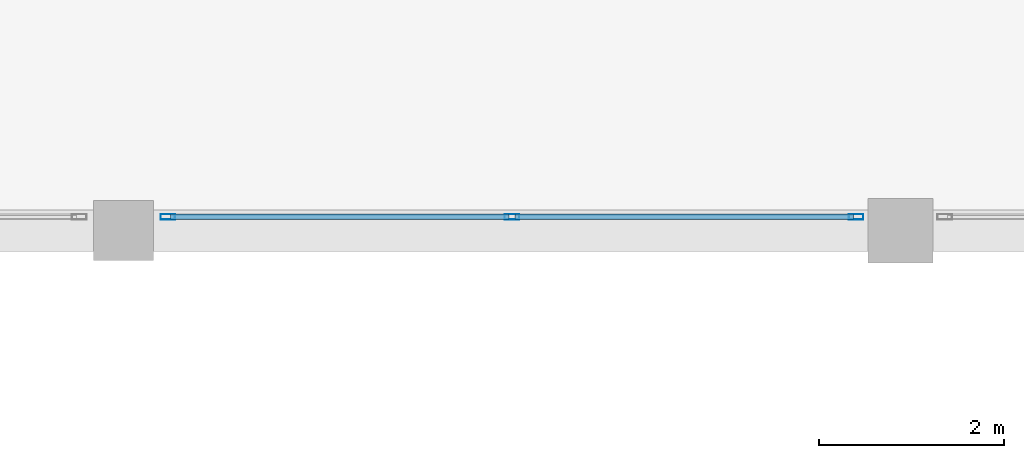
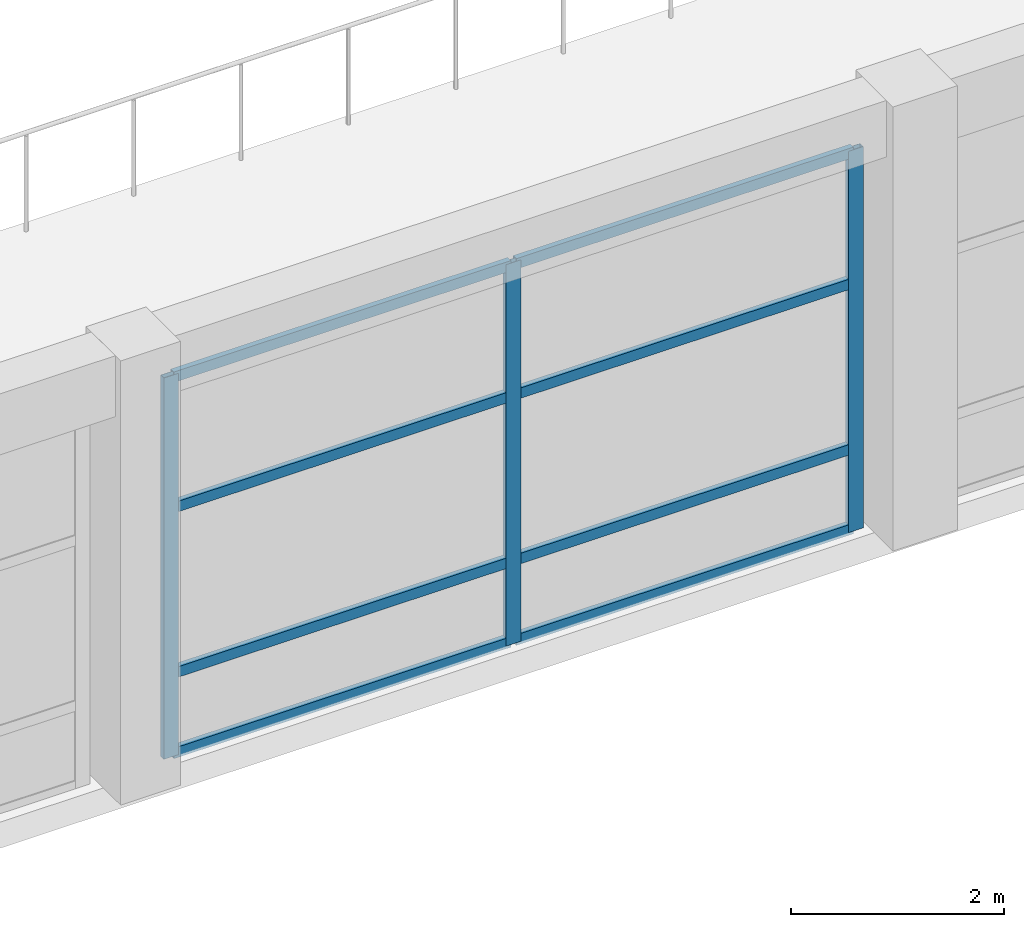
# One storey, part 25 of 95: 11 members, 1 element without a shape of its own.
"""IFC4 building model written with IfcOpenShell, lengths in metres."""

from ifc_helpers import new_model, si_unit, direction, frame, origin, origin_2d, place, context, subcontext, project, spatial, hollow_rectangle, extrude, material, material_profile, profile_set, type_object, element, aggregate, save


model = new_model("IFC4")

# Units and contexts
model_context = context("Model", 3, precision=1e-05, world=origin(), true_north=direction((0.0, 1.0)))
body_context = subcontext(model_context, "Body", "Model", "MODEL_VIEW")
ifc_project = project(units=[si_unit("LENGTHUNIT", "METRE"), si_unit("AREAUNIT", "SQUARE_METRE"), si_unit("VOLUMEUNIT", "CUBIC_METRE"), si_unit("PLANEANGLEUNIT", "RADIAN"), si_unit("MASSUNIT", "GRAM", prefix="KILO")], contexts=[model_context])

# Site, building, storey
site_placement = place(None, origin())
site = spatial("IfcSite", under=ifc_project, at=site_placement, CompositionType="ELEMENT")
building_placement = place(site_placement, origin())
building = spatial("IfcBuilding", under=site, at=building_placement, Name="Almacenes y Pasaje Nevantli", CompositionType="ELEMENT")
storey_placement = place(building_placement, frame((0.0, 0.0, 11.39990234375)))
storey = spatial("IfcBuildingStorey", under=building, at=storey_placement, Name="L03", CompositionType="ELEMENT", Elevation=11.39990234375)

# Curtain wall, members
ifc_material_1 = material(Name="Thermally Broken Aluminium and Low-E Glass", Category="aluminium")
curtain_wall_type = type_object("IfcCurtainWallType", Name="CW-STF-ARCADE", PredefinedType="USERDEFINED", material=ifc_material_1)
curtain_wall_placement = place(storey_placement, origin())
curtain_wall = element("IfcCurtainWall", 1, at=curtain_wall_placement, inside=storey, type_object=curtain_wall_type, Name="L03 South Arcade Portal Curtain Wall Bay 10", ObjectType="STOREFRONT GLAZING", PredefinedType="USERDEFINED")
ifc_material_2 = material(Name="Thermally Broken Anodized Aluminium", Category="aluminium")
ifc_material_profile_1 = material_profile(ifc_material_2, hollow_rectangle(XDim=0.06005859375, YDim=0.159912109375, WallThickness=0.00390625, at=origin_2d()), Name="ALU-MUL-60x160")
ifc_profile_set_1 = profile_set([ifc_material_profile_1], Name="Thermally Broken Anodized Aluminium")
member_type_1 = type_object("IfcMemberType", Name="CW-MUL-180", PredefinedType="MULLION", material=ifc_profile_set_1)
member_1_placement = place(storey_placement, frame((76.080078125, 0.14990234375, 0.0), z_axis=(0.0, 0.0, 1.0), x_axis=(0.0, 1.0, 0.0)))
member_1 = element("IfcMember", 2, at=member_1_placement, type_object=member_type_1, Name="CW-L03-046 mullion 1", PredefinedType="MULLION", context=body_context, shape_type="SweptSolid", body=[
    extrude(hollow_rectangle(XDim=0.06005859375, YDim=0.159912109375, WallThickness=0.00390625, at=origin_2d()), origin(), (0.0, 0.0, 1.0), 4.380126953125),
])
member_2_placement = place(storey_placement, frame((79.800048828125, 0.14990234375, 0.0), z_axis=(0.0, 0.0, 1.0), x_axis=(0.0, 1.0, 0.0)))
member_2 = element("IfcMember", 3, at=member_2_placement, type_object=member_type_1, Name="CW-L03-046 mullion 2", PredefinedType="MULLION", context=body_context, shape_type="SweptSolid", body=[
    extrude(hollow_rectangle(XDim=0.06005859375, YDim=0.159912109375, WallThickness=0.00390625, at=origin_2d()), origin(), (0.0, 0.0, 1.0), 4.380126953125),
])
member_3_placement = place(storey_placement, frame((83.52001953125, 0.14990234375, 0.0), z_axis=(0.0, 0.0, 1.0), x_axis=(0.0, 1.0, 0.0)))
member_3 = element("IfcMember", 4, at=member_3_placement, type_object=member_type_1, Name="CW-L03-046 mullion 3", PredefinedType="MULLION", context=body_context, shape_type="SweptSolid", body=[
    extrude(hollow_rectangle(XDim=0.06005859375, YDim=0.159912109375, WallThickness=0.00390625, at=origin_2d()), origin(), (0.0, 0.0, 1.0), 4.380126953125),
])
ifc_material_3 = material(Name="Thermally Broken Anodized Aluminium", Category="aluminium")
ifc_material_profile_2 = material_profile(ifc_material_3, hollow_rectangle(XDim=0.06005859375, YDim=0.1201171875, WallThickness=0.00341796875, at=origin_2d()), Name="ALU-TRN-60x120")
ifc_profile_set_2 = profile_set([ifc_material_profile_2], Name="Thermally Broken Anodized Aluminium")
member_type_2 = type_object("IfcMemberType", Name="CW-TRN-130", PredefinedType="USERDEFINED", material=ifc_profile_set_2)
member_4_placement = place(storey_placement, frame((76.110107421875, 0.14990234375, 0.030029296875), z_axis=(1.0, 0.0, 0.0), x_axis=(0.0, 1.0, 0.0)))
member_4 = element("IfcMember", 5, at=member_4_placement, type_object=member_type_2, Name="CW-L03-046 transom 1.1", ObjectType="TRANSOM", PredefinedType="USERDEFINED", context=body_context, shape_type="SweptSolid", body=[
    extrude(hollow_rectangle(XDim=0.06005859375, YDim=0.1201171875, WallThickness=0.00341796875, at=origin_2d()), origin(), (0.0, 0.0, 1.0), 3.659912109375),
])
member_5_placement = place(storey_placement, frame((76.110107421875, 0.14990234375, 0.9501953125), z_axis=(1.0, 0.0, 0.0), x_axis=(0.0, 1.0, 0.0)))
member_5 = element("IfcMember", 6, at=member_5_placement, type_object=member_type_2, Name="CW-L03-046 transom 1.2", ObjectType="TRANSOM", PredefinedType="USERDEFINED", context=body_context, shape_type="SweptSolid", body=[
    extrude(hollow_rectangle(XDim=0.06005859375, YDim=0.1201171875, WallThickness=0.00341796875, at=origin_2d()), origin(), (0.0, 0.0, 1.0), 3.659912109375),
])
member_6_placement = place(storey_placement, frame((76.110107421875, 0.14990234375, 2.85009765625), z_axis=(1.0, 0.0, 0.0), x_axis=(0.0, 1.0, 0.0)))
member_6 = element("IfcMember", 7, at=member_6_placement, type_object=member_type_2, Name="CW-L03-046 transom 1.3", ObjectType="TRANSOM", PredefinedType="USERDEFINED", context=body_context, shape_type="SweptSolid", body=[
    extrude(hollow_rectangle(XDim=0.06005859375, YDim=0.1201171875, WallThickness=0.00341796875, at=origin_2d()), origin(), (0.0, 0.0, 1.0), 3.659912109375),
])
member_7_placement = place(storey_placement, frame((76.110107421875, 0.14990234375, 4.35009765625), z_axis=(1.0, 0.0, 0.0), x_axis=(0.0, 1.0, 0.0)))
member_7 = element("IfcMember", 8, at=member_7_placement, type_object=member_type_2, Name="CW-L03-046 transom 1.4", ObjectType="TRANSOM", PredefinedType="USERDEFINED", context=body_context, shape_type="SweptSolid", body=[
    extrude(hollow_rectangle(XDim=0.06005859375, YDim=0.1201171875, WallThickness=0.00341796875, at=origin_2d()), origin(), (0.0, 0.0, 1.0), 3.659912109375),
])
member_8_placement = place(storey_placement, frame((79.830078125, 0.14990234375, 0.030029296875), z_axis=(1.0, 0.0, 0.0), x_axis=(0.0, 1.0, 0.0)))
member_8 = element("IfcMember", 9, at=member_8_placement, type_object=member_type_2, Name="CW-L03-046 transom 2.1", ObjectType="TRANSOM", PredefinedType="USERDEFINED", context=body_context, shape_type="SweptSolid", body=[
    extrude(hollow_rectangle(XDim=0.06005859375, YDim=0.1201171875, WallThickness=0.00341796875, at=origin_2d()), origin(), (0.0, 0.0, 1.0), 3.659912109375),
])
member_9_placement = place(storey_placement, frame((79.830078125, 0.14990234375, 0.9501953125), z_axis=(1.0, 0.0, 0.0), x_axis=(0.0, 1.0, 0.0)))
member_9 = element("IfcMember", 10, at=member_9_placement, type_object=member_type_2, Name="CW-L03-046 transom 2.2", ObjectType="TRANSOM", PredefinedType="USERDEFINED", context=body_context, shape_type="SweptSolid", body=[
    extrude(hollow_rectangle(XDim=0.06005859375, YDim=0.1201171875, WallThickness=0.00341796875, at=origin_2d()), origin(), (0.0, 0.0, 1.0), 3.659912109375),
])
member_10_placement = place(storey_placement, frame((79.830078125, 0.14990234375, 2.85009765625), z_axis=(1.0, 0.0, 0.0), x_axis=(0.0, 1.0, 0.0)))
member_10 = element("IfcMember", 11, at=member_10_placement, type_object=member_type_2, Name="CW-L03-046 transom 2.3", ObjectType="TRANSOM", PredefinedType="USERDEFINED", context=body_context, shape_type="SweptSolid", body=[
    extrude(hollow_rectangle(XDim=0.06005859375, YDim=0.1201171875, WallThickness=0.00341796875, at=origin_2d()), origin(), (0.0, 0.0, 1.0), 3.659912109375),
])
member_11_placement = place(storey_placement, frame((79.830078125, 0.14990234375, 4.35009765625), z_axis=(1.0, 0.0, 0.0), x_axis=(0.0, 1.0, 0.0)))
member_11 = element("IfcMember", 12, at=member_11_placement, type_object=member_type_2, Name="CW-L03-046 transom 2.4", ObjectType="TRANSOM", PredefinedType="USERDEFINED", context=body_context, shape_type="SweptSolid", body=[
    extrude(hollow_rectangle(XDim=0.06005859375, YDim=0.1201171875, WallThickness=0.00341796875, at=origin_2d()), origin(), (0.0, 0.0, 1.0), 3.659912109375),
])
aggregate(curtain_wall, [member_1, member_2, member_3, member_4, member_5, member_6, member_7, member_8, member_9, member_10, member_11])

save(model, "model.ifc")
